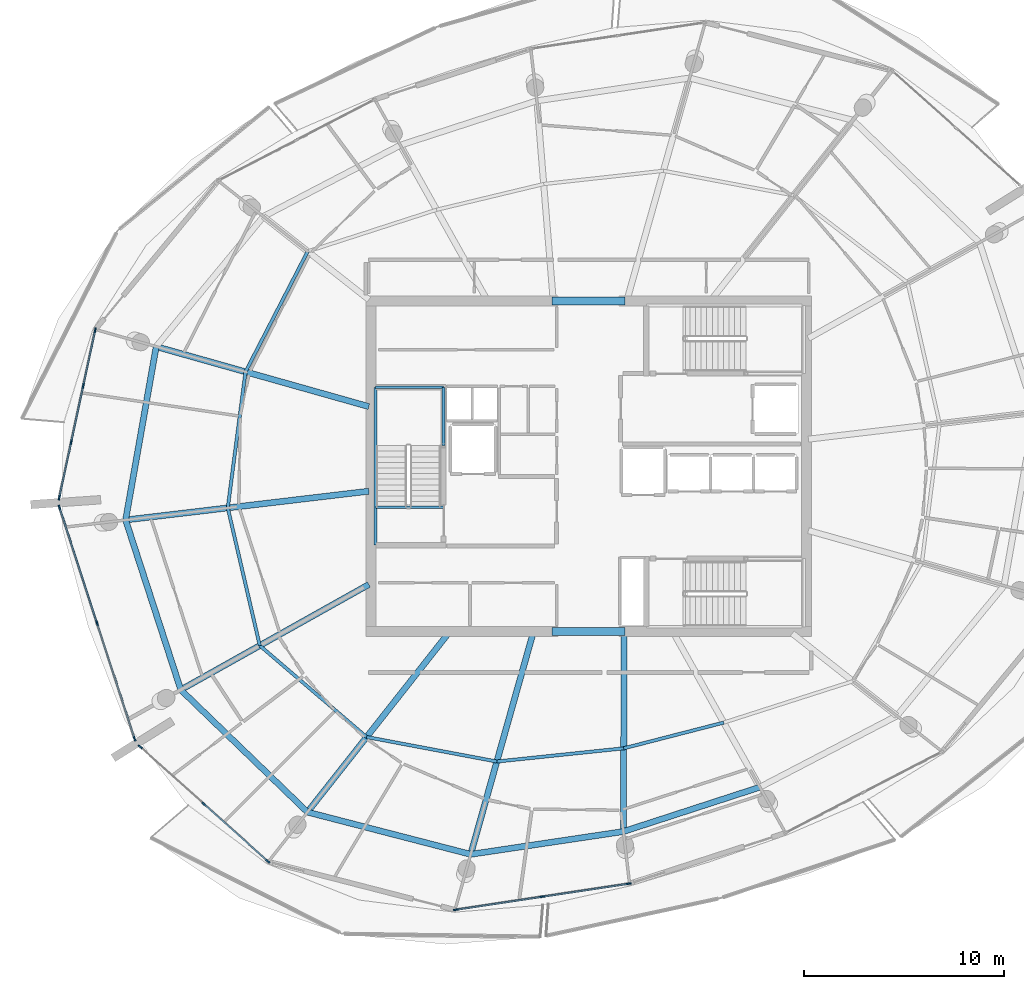
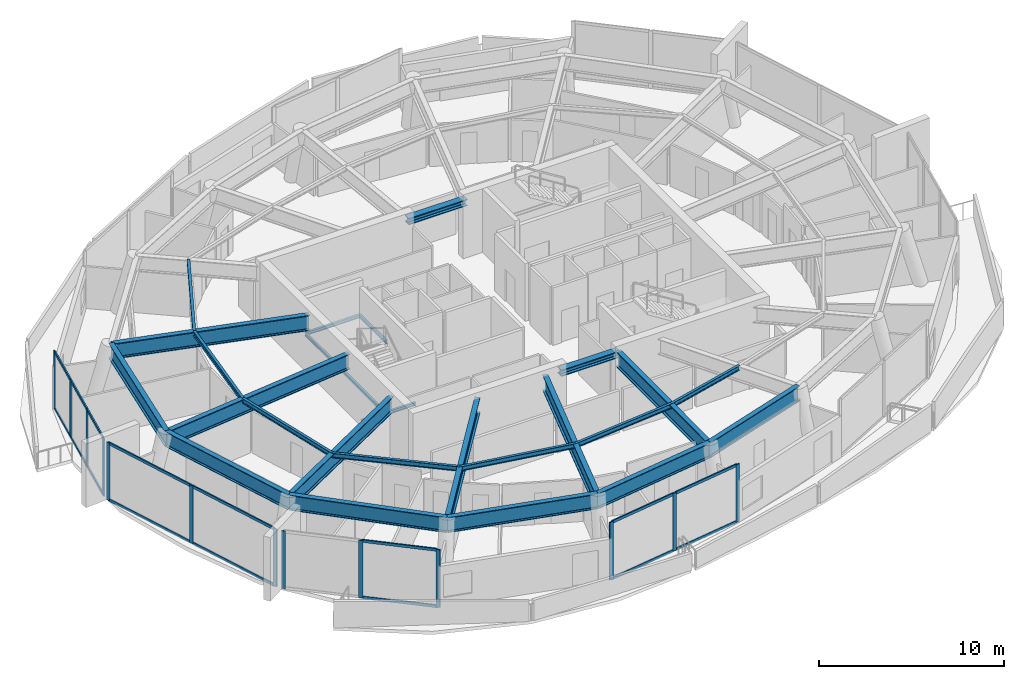
# One storey, part 5 of 19: 29 members, 25 beams, 4 elements without a shape of their own.
"""IFC4 building model written with IfcOpenShell, lengths in metres."""

from ifc_helpers import new_model, si_unit, direction, frame, origin, origin_2d, place, context, subcontext, project, spatial, rectangle, i_section, extrude, material, layer, layer_set, material_profile, profile_set, type_object, element, aggregate, save


model = new_model("IFC4")

# Units and contexts
model_context = context("Model", 3, precision=1e-05, world=origin(), true_north=direction((0.0, 1.0)))
body_context = subcontext(model_context, "Body", "Model", "MODEL_VIEW")
ifc_project = project(units=[si_unit("LENGTHUNIT", "METRE"), si_unit("AREAUNIT", "SQUARE_METRE"), si_unit("VOLUMEUNIT", "CUBIC_METRE"), si_unit("PLANEANGLEUNIT", "RADIAN"), si_unit("MASSUNIT", "GRAM", prefix="KILO")], contexts=[model_context])

# Site, building, storey
site_placement = place(None, origin())
site = spatial("IfcSite", under=ifc_project, at=site_placement, CompositionType="ELEMENT")
building_placement = place(site_placement, origin())
building = spatial("IfcBuilding", under=site, at=building_placement, Name="Kazma Halo Residences", CompositionType="ELEMENT")
storey_placement = place(building_placement, frame((0.0, 0.0, 347.300048828125)))
storey = spatial("IfcBuildingStorey", under=building, at=storey_placement, Name="L87", CompositionType="ELEMENT", Elevation=347.300048828125)

# Beams
ifc_material_1 = material(Name="Steel S355", Category="steel")
ifc_material_profile_1 = material_profile(ifc_material_1, i_section(OverallWidth=0.408935546875, OverallDepth=0.425048828125, WebThickness=0.03271484375, FlangeThickness=0.052490234375, FilletRadius=0.02001953125, at=origin_2d()), Name="W360x421")
ifc_profile_set_1 = profile_set([ifc_material_profile_1], Name="Steel S355")
beam_type_1 = type_object("IfcBeamType", Name="BM-CORE-W360H", PredefinedType="BEAM", material=ifc_profile_set_1)
for number, where, z_axis, x_axis, name in (
    (1, (46.60009765625, 33.75, 3.58740234375), (1.0, 0.0, 0.0), (0.0, 1.0, 0.0), "L87 core coupling beam S"),
    (2, (46.60009765625, 50.25, 3.58740234375), (1.0, 0.0, 0.0), (0.0, 1.0, 0.0), "L87 core coupling beam N"),
):
    element("IfcBeam", number, at=place(storey_placement, frame(where, z_axis=z_axis, x_axis=x_axis)), inside=storey, type_object=beam_type_1, Name=name, PredefinedType="BEAM", context=body_context, shape_type="SweptSolid", body=[
        extrude(i_section(OverallWidth=0.408935546875, OverallDepth=0.425048828125, WebThickness=0.03271484375, FlangeThickness=0.052490234375, FilletRadius=0.02001953125, at=origin_2d()), origin(), (0.0, 0.0, 1.0), 3.64990234375),
    ])
ifc_material_profile_2 = material_profile(ifc_material_1, i_section(OverallWidth=0.1650390625, OverallDepth=0.31005859375, WebThickness=0.005859375, FlangeThickness=0.009765625, FilletRadius=0.011962890625, at=origin_2d()), Name="W310x38.7")
ifc_profile_set_2 = profile_set([ifc_material_profile_2], Name="Steel S355")
beam_type_2 = type_object("IfcBeamType", Name="BM-SEC-W310B", PredefinedType="JOIST", material=ifc_profile_set_2)
beam_1_placement = place(storey_placement, frame((34.396240234375, 52.724365234375, 3.64501953125), z_axis=(-0.458980181698, -0.888446505316, 0.0), x_axis=(0.888446505316, -0.458980181698, 0.0)))
element("IfcBeam", 3, at=beam_1_placement, inside=storey, type_object=beam_type_2, Name="L87 circumferential floor joist 06", PredefinedType="JOIST", context=body_context, shape_type="SweptSolid", body=[
    extrude(i_section(OverallWidth=0.1650390625, OverallDepth=0.31005859375, WebThickness=0.005859375, FlangeThickness=0.009765625, FilletRadius=0.011962890625, at=origin_2d()), origin(), (0.0, 0.0, 1.0), 6.7666015625),
])
beam_2_placement = place(storey_placement, frame((31.29052734375, 46.712646484375, 3.64501953125), z_axis=(-0.129220381174, -0.991615899978, 0.0), x_axis=(0.991615899978, -0.129220381174, 0.0)))
element("IfcBeam", 4, at=beam_2_placement, inside=storey, type_object=beam_type_2, Name="L87 circumferential floor joist 07", PredefinedType="JOIST", context=body_context, shape_type="SweptSolid", body=[
    extrude(i_section(OverallWidth=0.1650390625, OverallDepth=0.31005859375, WebThickness=0.005859375, FlangeThickness=0.009765625, FilletRadius=0.011962890625, at=origin_2d()), origin(), (0.0, 0.0, 1.0), 6.8525390625),
])
beam_3_placement = place(storey_placement, frame((30.405029296875, 39.91748046875, 3.64501953125), z_axis=(0.22642269465, -0.97402913886, 0.0), x_axis=(0.97402913886, 0.22642269465, 0.0)))
element("IfcBeam", 5, at=beam_3_placement, inside=storey, type_object=beam_type_2, Name="L87 circumferential floor joist 08", PredefinedType="JOIST", context=body_context, shape_type="SweptSolid", body=[
    extrude(i_section(OverallWidth=0.1650390625, OverallDepth=0.31005859375, WebThickness=0.005859375, FlangeThickness=0.009765625, FilletRadius=0.011962890625, at=origin_2d()), origin(), (0.0, 0.0, 1.0), 7.059326171875),
])
beam_4_placement = place(storey_placement, frame((32.00341796875, 33.04150390625, 3.64501953125), z_axis=(0.759582919789, -0.650410476518, 0.0), x_axis=(0.650410476518, 0.759582919789, 0.0)))
element("IfcBeam", 6, at=beam_4_placement, inside=storey, type_object=beam_type_2, Name="L87 circumferential floor joist 09", PredefinedType="JOIST", context=body_context, shape_type="SweptSolid", body=[
    extrude(i_section(OverallWidth=0.1650390625, OverallDepth=0.31005859375, WebThickness=0.005859375, FlangeThickness=0.009765625, FilletRadius=0.011962890625, at=origin_2d()), origin(), (0.0, 0.0, 1.0), 7.02197265625),
])
beam_5_placement = place(storey_placement, frame((37.337158203125, 28.474365234375, 3.64501953125), z_axis=(0.982768028721, -0.184843181435, 0.0), x_axis=(0.184843181435, 0.982768028721, 0.0)))
element("IfcBeam", 7, at=beam_5_placement, inside=storey, type_object=beam_type_2, Name="L87 circumferential floor joist 10", PredefinedType="JOIST", context=body_context, shape_type="SweptSolid", body=[
    extrude(i_section(OverallWidth=0.1650390625, OverallDepth=0.31005859375, WebThickness=0.005859375, FlangeThickness=0.009765625, FilletRadius=0.011962890625, at=origin_2d()), origin(), (0.0, 0.0, 1.0), 6.6171875),
])
beam_6_placement = place(storey_placement, frame((43.84033203125, 27.251220703125, 3.64501953125), z_axis=(0.994612236518, 0.10366532192, 0.0), x_axis=(-0.10366532192, 0.994612236518, 0.0)))
element("IfcBeam", 8, at=beam_6_placement, inside=storey, type_object=beam_type_2, Name="L87 circumferential floor joist 11", PredefinedType="JOIST", context=body_context, shape_type="SweptSolid", body=[
    extrude(i_section(OverallWidth=0.1650390625, OverallDepth=0.31005859375, WebThickness=0.005859375, FlangeThickness=0.009765625, FilletRadius=0.011962890625, at=origin_2d()), origin(), (0.0, 0.0, 1.0), 6.37060546875),
])
beam_7_placement = place(storey_placement, frame((50.176513671875, 27.91162109375, 3.64501953125), z_axis=(0.96846845721, 0.249136202485, 0.0), x_axis=(-0.249136202485, 0.96846845721, 0.0)))
element("IfcBeam", 9, at=beam_7_placement, inside=storey, type_object=beam_type_2, Name="L87 circumferential floor joist 12", PredefinedType="JOIST", context=body_context, shape_type="SweptSolid", body=[
    extrude(i_section(OverallWidth=0.1650390625, OverallDepth=0.31005859375, WebThickness=0.005859375, FlangeThickness=0.009765625, FilletRadius=0.011962890625, at=origin_2d()), origin(), (0.0, 0.0, 1.0), 5.156494140625),
])
ifc_material_profile_3 = material_profile(ifc_material_1, i_section(OverallWidth=0.302001953125, OverallDepth=1.01806640625, WebThickness=0.021484375, FlangeThickness=0.049072265625, FilletRadius=0.028076171875, at=origin_2d()), Name="W1000x443")
ifc_profile_set_3 = profile_set([ifc_material_profile_3], Name="Steel S355")
beam_type_3 = type_object("IfcBeamType", Name="BM-TRANS-W1000A", PredefinedType="BEAM", material=ifc_profile_set_3)
beam_8_placement = place(storey_placement, frame((37.449951171875, 44.975341796875, 3.291015625), z_axis=(-0.962455160106, 0.271440720572, 0.0), x_axis=(-0.271440720572, -0.962455160106, 0.0)))
element("IfcBeam", 10, at=beam_8_placement, inside=storey, type_object=beam_type_3, Name="L87 podium radial transfer girder 07", PredefinedType="BEAM", context=body_context, shape_type="SweptSolid", body=[
    extrude(i_section(OverallWidth=0.302001953125, OverallDepth=1.01806640625, WebThickness=0.021484375, FlangeThickness=0.049072265625, FilletRadius=0.028076171875, at=origin_2d()), origin(), (0.0, 0.0, 1.0), 11.0341796875),
])
beam_9_placement = place(storey_placement, frame((37.449951171875, 40.751220703125, 3.291015625), z_axis=(-0.993069432883, -0.117529151591, 0.0), x_axis=(0.117529151591, -0.993069432883, 0.0)))
element("IfcBeam", 11, at=beam_9_placement, inside=storey, type_object=beam_type_3, Name="L87 podium radial transfer girder 08", PredefinedType="BEAM", context=body_context, shape_type="SweptSolid", body=[
    extrude(i_section(OverallWidth=0.302001953125, OverallDepth=1.01806640625, WebThickness=0.021484375, FlangeThickness=0.049072265625, FilletRadius=0.028076171875, at=origin_2d()), origin(), (0.0, 0.0, 1.0), 12.23095703125),
])
beam_10_placement = place(storey_placement, frame((37.449951171875, 36.091796875, 3.291015625), z_axis=(-0.872494798344, -0.488623399832, 0.0), x_axis=(0.488623399832, -0.872494798344, 0.0)))
element("IfcBeam", 12, at=beam_10_placement, inside=storey, type_object=beam_type_3, Name="L87 podium radial transfer girder 09", PredefinedType="BEAM", context=body_context, shape_type="SweptSolid", body=[
    extrude(i_section(OverallWidth=0.302001953125, OverallDepth=1.01806640625, WebThickness=0.021484375, FlangeThickness=0.049072265625, FilletRadius=0.028076171875, at=origin_2d()), origin(), (0.0, 0.0, 1.0), 10.762939453125),
])
beam_11_placement = place(storey_placement, frame((41.41748046875, 33.64990234375, 3.291015625), z_axis=(-0.619100773028, -0.785311551447, 0.0), x_axis=(0.785311551447, -0.619100773028, 0.0)))
element("IfcBeam", 13, at=beam_11_placement, inside=storey, type_object=beam_type_3, Name="L87 podium radial transfer girder 10", PredefinedType="BEAM", context=body_context, shape_type="SweptSolid", body=[
    extrude(i_section(OverallWidth=0.302001953125, OverallDepth=1.01806640625, WebThickness=0.021484375, FlangeThickness=0.049072265625, FilletRadius=0.028076171875, at=origin_2d()), origin(), (0.0, 0.0, 1.0), 11.363037109375),
])
beam_12_placement = place(storey_placement, frame((45.64501953125, 33.64990234375, 3.291015625), z_axis=(-0.271433859027, -0.962457095238, 0.0), x_axis=(0.962457095238, -0.271433859027, 0.0)))
element("IfcBeam", 14, at=beam_12_placement, inside=storey, type_object=beam_type_3, Name="L87 podium radial transfer girder 11", PredefinedType="BEAM", context=body_context, shape_type="SweptSolid", body=[
    extrude(i_section(OverallWidth=0.302001953125, OverallDepth=1.01806640625, WebThickness=0.021484375, FlangeThickness=0.049072265625, FilletRadius=0.028076171875, at=origin_2d()), origin(), (0.0, 0.0, 1.0), 11.462646484375),
])
beam_13_placement = place(storey_placement, frame((50.199951171875, 33.64990234375, 3.291015625), z_axis=(-0.004120979715, -0.999991508727, 0.0), x_axis=(0.999991508727, -0.004120979715, 0.0)))
element("IfcBeam", 15, at=beam_13_placement, inside=storey, type_object=beam_type_3, Name="L87 podium radial transfer girder 12", PredefinedType="BEAM", context=body_context, shape_type="SweptSolid", body=[
    extrude(i_section(OverallWidth=0.302001953125, OverallDepth=1.01806640625, WebThickness=0.021484375, FlangeThickness=0.049072265625, FilletRadius=0.028076171875, at=origin_2d()), origin(), (0.0, 0.0, 1.0), 9.8935546875),
])
ifc_material_profile_4 = material_profile(ifc_material_1, i_section(OverallWidth=0.300048828125, OverallDepth=1.0, WebThickness=0.01904296875, FlangeThickness=0.0400390625, FilletRadius=0.02587890625, at=origin_2d()), Name="W1000x371")
ifc_profile_set_4 = profile_set([ifc_material_profile_4], Name="Steel S355")
beam_type_4 = type_object("IfcBeamType", Name="BM-TRANS-W1000B", PredefinedType="BEAM", material=ifc_profile_set_4)
beam_14_placement = place(storey_placement, frame((26.830078125, 47.970458984375, 3.300048828125), z_axis=(-0.173642734291, -0.984808712811, 0.0), x_axis=(0.984808712811, -0.173642734291, 0.0)))
element("IfcBeam", 16, at=beam_14_placement, inside=storey, type_object=beam_type_4, Name="L87 perimeter ring beam 07", PredefinedType="BEAM", context=body_context, shape_type="SweptSolid", body=[
    extrude(i_section(OverallWidth=0.300048828125, OverallDepth=1.0, WebThickness=0.01904296875, FlangeThickness=0.0400390625, FilletRadius=0.02587890625, at=origin_2d()), origin(), (0.0, 0.0, 1.0), 8.790283203125),
])
beam_15_placement = place(storey_placement, frame((25.3037109375, 39.313720703125, 3.300048828125), z_axis=(0.309015498459, -0.951057002346, 0.0), x_axis=(0.951057002346, 0.309015498459, 0.0)))
element("IfcBeam", 17, at=beam_15_placement, inside=storey, type_object=beam_type_4, Name="L87 perimeter ring beam 08", PredefinedType="BEAM", context=body_context, shape_type="SweptSolid", body=[
    extrude(i_section(OverallWidth=0.300048828125, OverallDepth=1.0, WebThickness=0.01904296875, FlangeThickness=0.0400390625, FilletRadius=0.02587890625, at=origin_2d()), origin(), (0.0, 0.0, 1.0), 8.91748046875),
])
beam_16_placement = place(storey_placement, frame((28.059326171875, 30.832763671875, 3.300048828125), z_axis=(0.719330630477, -0.694667866003, 0.0), x_axis=(0.694667866003, 0.719330630477, 0.0)))
element("IfcBeam", 18, at=beam_16_placement, inside=storey, type_object=beam_type_4, Name="L87 perimeter ring beam 09", PredefinedType="BEAM", context=body_context, shape_type="SweptSolid", body=[
    extrude(i_section(OverallWidth=0.300048828125, OverallDepth=1.0, WebThickness=0.01904296875, FlangeThickness=0.0400390625, FilletRadius=0.02587890625, at=origin_2d()), origin(), (0.0, 0.0, 1.0), 8.79052734375),
])
beam_17_placement = place(storey_placement, frame((34.382568359375, 24.726318359375, 3.300048828125), z_axis=(0.968129821283, -0.250448895271, 0.0), x_axis=(0.250448895271, 0.968129821283, 0.0)))
element("IfcBeam", 19, at=beam_17_placement, inside=storey, type_object=beam_type_4, Name="L87 perimeter ring beam 10", PredefinedType="BEAM", context=body_context, shape_type="SweptSolid", body=[
    extrude(i_section(OverallWidth=0.300048828125, OverallDepth=1.0, WebThickness=0.01904296875, FlangeThickness=0.0400390625, FilletRadius=0.02587890625, at=origin_2d()), origin(), (0.0, 0.0, 1.0), 8.41943359375),
])
beam_18_placement = place(storey_placement, frame((42.53369140625, 22.61767578125, 3.300048828125), z_axis=(0.989034152337, 0.147686984904, 0.0), x_axis=(-0.147686984904, 0.989034152337, 0.0)))
element("IfcBeam", 20, at=beam_18_placement, inside=storey, type_object=beam_type_4, Name="L87 perimeter ring beam 11", PredefinedType="BEAM", context=body_context, shape_type="SweptSolid", body=[
    extrude(i_section(OverallWidth=0.300048828125, OverallDepth=1.0, WebThickness=0.01904296875, FlangeThickness=0.0400390625, FilletRadius=0.02587890625, at=origin_2d()), origin(), (0.0, 0.0, 1.0), 7.7099609375),
])
beam_19_placement = place(storey_placement, frame((50.1591796875, 23.75634765625, 3.300048828125), z_axis=(0.951067102, 0.308984413026, 0.0), x_axis=(-0.308984413026, 0.951067102, 0.0)))
element("IfcBeam", 21, at=beam_19_placement, inside=storey, type_object=beam_type_4, Name="L87 perimeter ring beam 12", PredefinedType="BEAM", context=body_context, shape_type="SweptSolid", body=[
    extrude(i_section(OverallWidth=0.300048828125, OverallDepth=1.0, WebThickness=0.01904296875, FlangeThickness=0.0400390625, FilletRadius=0.02587890625, at=origin_2d()), origin(), (0.0, 0.0, 1.0), 7.168212890625),
])
ifc_material_profile_5 = material_profile(ifc_material_1, i_section(OverallWidth=0.133056640625, OverallDepth=0.20703125, WebThickness=0.005859375, FlangeThickness=0.00830078125, FilletRadius=0.010009765625, at=origin_2d()), Name="W200x26.6")
ifc_profile_set_5 = profile_set([ifc_material_profile_5], Name="Steel S355")
beam_type_5 = type_object("IfcBeamType", Name="BM-TRIM-W200", PredefinedType="BEAM", material=ifc_profile_set_5)
beam_20_placement = place(storey_placement, frame((37.800048828125, 39.949951171875, -0.3701171875), z_axis=(1.0, 0.0, 0.0), x_axis=(0.0, 1.0, 0.0)))
element("IfcBeam", 22, at=beam_20_placement, inside=storey, type_object=beam_type_5, Name="L87 ST-01 floor landing support beam", PredefinedType="BEAM", context=body_context, shape_type="SweptSolid", body=[
    extrude(i_section(OverallWidth=0.133056640625, OverallDepth=0.20703125, WebThickness=0.005859375, FlangeThickness=0.00830078125, FilletRadius=0.010009765625, at=origin_2d()), origin(), (0.0, 0.0, 1.0), 3.3798828125),
])
beam_21_placement = place(storey_placement, frame((37.780029296875, 38.06005859375, 1.794921875), z_axis=(0.0, 1.0, 0.0), x_axis=(-1.0, 0.0, 0.0)))
element("IfcBeam", 23, at=beam_21_placement, inside=storey, type_object=beam_type_5, Name="L87 ST-01 landing west wall ledger", PredefinedType="BEAM", context=body_context, shape_type="SweptSolid", body=[
    extrude(i_section(OverallWidth=0.133056640625, OverallDepth=0.20703125, WebThickness=0.005859375, FlangeThickness=0.00830078125, FilletRadius=0.010009765625, at=origin_2d()), origin(), (0.0, 0.0, 1.0), 7.8798828125),
])
beam_22_placement = place(storey_placement, frame((41.179931640625, 43.030029296875, 1.794921875), z_axis=(0.0, 1.0, 0.0), x_axis=(-1.0, 0.0, 0.0)))
element("IfcBeam", 24, at=beam_22_placement, inside=storey, type_object=beam_type_5, Name="L87 ST-01 landing east wall ledger", PredefinedType="BEAM", context=body_context, shape_type="SweptSolid", body=[
    extrude(i_section(OverallWidth=0.133056640625, OverallDepth=0.20703125, WebThickness=0.005859375, FlangeThickness=0.00830078125, FilletRadius=0.010009765625, at=origin_2d()), origin(), (0.0, 0.0, 1.0), 2.909912109375),
])
beam_23_placement = place(storey_placement, frame((37.780029296875, 45.93994140625, 1.794921875), z_axis=(1.0, 0.0, 0.0), x_axis=(0.0, 1.0, 0.0)))
element("IfcBeam", 25, at=beam_23_placement, inside=storey, type_object=beam_type_5, Name="L87 ST-01 landing end wall ledger", PredefinedType="BEAM", context=body_context, shape_type="SweptSolid", body=[
    extrude(i_section(OverallWidth=0.133056640625, OverallDepth=0.20703125, WebThickness=0.005859375, FlangeThickness=0.00830078125, FilletRadius=0.010009765625, at=origin_2d()), origin(), (0.0, 0.0, 1.0), 3.39990234375),
])

# Curtain wall, members
ifc_material_2 = material(Name="Aluminium AW-6063 T6 and Triple-Silver Low-E Glass", Category="aluminium")
ifc_layer = layer(ifc_material_2, 0.239990234375)
ifc_layer_set = layer_set([ifc_layer], Name="Aluminium AW-6063 T6 and Triple-Silver Low-E Glass")
curtain_wall_type = type_object("IfcCurtainWallType", Name="CW-SYS-6", PredefinedType="NOTDEFINED", material=ifc_layer_set)
curtain_wall_1_placement = place(storey_placement, origin())
curtain_wall_1 = element("IfcCurtainWall", 26, at=curtain_wall_1_placement, inside=storey, type_object=curtain_wall_type, Name="L87 unitised curtain wall B07", PredefinedType="NOTDEFINED")
ifc_material_3 = material(Name="Aluminium AW-6063 T6", Category="aluminium")
ifc_material_profile_6 = material_profile(ifc_material_3, rectangle(XDim=0.080078125, YDim=0.239990234375, at=origin_2d()), Name="CWM-80x240")
ifc_profile_set_6 = profile_set([ifc_material_profile_6], Name="Aluminium AW-6063 T6")
member_type_1 = type_object("IfcMemberType", Name="CW-SYS-6-MUL", PredefinedType="MULLION", material=ifc_profile_set_6)
member_1_placement = place(storey_placement, frame((23.7841796875, 48.7880859375, 0.0), z_axis=(0.0, 0.0, 1.0), x_axis=(0.977760865363, -0.209722888986, 0.0)))
member_1 = element("IfcMember", 27, at=member_1_placement, type_object=member_type_1, Name="CWS-6 mullion 1", PredefinedType="MULLION", context=body_context, shape_type="SweptSolid", body=[
    extrude(rectangle(XDim=0.080078125, YDim=0.239990234375, at=origin_2d()), origin(), (0.0, 0.0, 1.0), 3.800048828125),
])
member_2_placement = place(storey_placement, frame((23.18896484375, 46.013427734375, 0.0), z_axis=(0.0, 0.0, 1.0), x_axis=(0.977760865363, -0.209722888986, 0.0)))
member_2 = element("IfcMember", 28, at=member_2_placement, type_object=member_type_1, Name="CWS-6 mullion 2", PredefinedType="MULLION", context=body_context, shape_type="SweptSolid", body=[
    extrude(rectangle(XDim=0.080078125, YDim=0.239990234375, at=origin_2d()), origin(), (0.0, 0.0, 1.0), 3.800048828125),
])
member_3_placement = place(storey_placement, frame((22.58544921875, 43.19970703125, 0.0), z_axis=(0.0, 0.0, 1.0), x_axis=(0.977760865363, -0.209722888986, 0.0)))
member_3 = element("IfcMember", 29, at=member_3_placement, type_object=member_type_1, Name="CWS-6 mullion 3", PredefinedType="MULLION", context=body_context, shape_type="SweptSolid", body=[
    extrude(rectangle(XDim=0.080078125, YDim=0.239990234375, at=origin_2d()), origin(), (0.0, 0.0, 1.0), 3.800048828125),
])
member_4_placement = place(storey_placement, frame((21.990234375, 40.425048828125, 0.0), z_axis=(0.0, 0.0, 1.0), x_axis=(0.977760865363, -0.209722888986, 0.0)))
member_4 = element("IfcMember", 30, at=member_4_placement, type_object=member_type_1, Name="CWS-6 mullion 4", PredefinedType="MULLION", context=body_context, shape_type="SweptSolid", body=[
    extrude(rectangle(XDim=0.080078125, YDim=0.239990234375, at=origin_2d()), origin(), (0.0, 0.0, 1.0), 3.800048828125),
])

curtain_wall_2_placement = place(storey_placement, origin())
curtain_wall_2 = element("IfcCurtainWall", 31, at=curtain_wall_2_placement, inside=storey, type_object=curtain_wall_type, Name="L87 unitised curtain wall B08", PredefinedType="NOTDEFINED")
member_5_placement = place(storey_placement, frame((22.0009765625, 39.937744140625, 0.0), z_axis=(0.0, 0.0, 1.0), x_axis=(0.951055886462, 0.309018932797, 0.0)))
member_5 = element("IfcMember", 32, at=member_5_placement, type_object=member_type_1, Name="CWS-6 mullion 1", PredefinedType="MULLION", context=body_context, shape_type="SweptSolid", body=[
    extrude(rectangle(XDim=0.080078125, YDim=0.239990234375, at=origin_2d()), origin(), (0.0, 0.0, 1.0), 3.800048828125),
])
member_6_placement = place(storey_placement, frame((23.87744140625, 34.162109375, 0.0), z_axis=(0.0, 0.0, 1.0), x_axis=(0.951055886462, 0.309018932797, 0.0)))
member_6 = element("IfcMember", 33, at=member_6_placement, type_object=member_type_1, Name="CWS-6 mullion 2", PredefinedType="MULLION", context=body_context, shape_type="SweptSolid", body=[
    extrude(rectangle(XDim=0.080078125, YDim=0.239990234375, at=origin_2d()), origin(), (0.0, 0.0, 1.0), 3.800048828125),
])
member_7_placement = place(storey_placement, frame((25.754150390625, 28.38671875, 0.0), z_axis=(0.0, 0.0, 1.0), x_axis=(0.951055886462, 0.309018932797, 0.0)))
member_7 = element("IfcMember", 34, at=member_7_placement, type_object=member_type_1, Name="CWS-6 mullion 3", PredefinedType="MULLION", context=body_context, shape_type="SweptSolid", body=[
    extrude(rectangle(XDim=0.080078125, YDim=0.239990234375, at=origin_2d()), origin(), (0.0, 0.0, 1.0), 3.800048828125),
])

curtain_wall_3_placement = place(storey_placement, origin())
curtain_wall_3 = element("IfcCurtainWall", 35, at=curtain_wall_3_placement, inside=storey, type_object=curtain_wall_type, Name="L87 unitised curtain wall B09", PredefinedType="NOTDEFINED")
member_8_placement = place(storey_placement, frame((26.031982421875, 27.986083984375, 0.0), z_axis=(0.0, 0.0, 1.0), x_axis=(0.667757559118, 0.744378829791, 0.0)))
member_8 = element("IfcMember", 36, at=member_8_placement, type_object=member_type_1, Name="CWS-6 mullion 1", PredefinedType="MULLION", context=body_context, shape_type="SweptSolid", body=[
    extrude(rectangle(XDim=0.080078125, YDim=0.239990234375, at=origin_2d()), origin(), (0.0, 0.0, 1.0), 3.800048828125),
])
member_9_placement = place(storey_placement, frame((29.21533203125, 25.13037109375, 0.0), z_axis=(0.0, 0.0, 1.0), x_axis=(0.667757559118, 0.744378829791, 0.0)))
member_9 = element("IfcMember", 37, at=member_9_placement, type_object=member_type_1, Name="CWS-6 mullion 2", PredefinedType="MULLION", context=body_context, shape_type="SweptSolid", body=[
    extrude(rectangle(XDim=0.080078125, YDim=0.239990234375, at=origin_2d()), origin(), (0.0, 0.0, 1.0), 3.800048828125),
])
member_10_placement = place(storey_placement, frame((32.39892578125, 22.2744140625, 0.0), z_axis=(0.0, 0.0, 1.0), x_axis=(0.667757559118, 0.744378829791, 0.0)))
member_10 = element("IfcMember", 38, at=member_10_placement, type_object=member_type_1, Name="CWS-6 mullion 3", PredefinedType="MULLION", context=body_context, shape_type="SweptSolid", body=[
    extrude(rectangle(XDim=0.080078125, YDim=0.239990234375, at=origin_2d()), origin(), (0.0, 0.0, 1.0), 3.800048828125),
])

curtain_wall_4_placement = place(storey_placement, origin())
curtain_wall_4 = element("IfcCurtainWall", 39, at=curtain_wall_4_placement, inside=storey, type_object=curtain_wall_type, Name="L87 unitised curtain wall B11", PredefinedType="NOTDEFINED")
member_11_placement = place(storey_placement, frame((41.79150390625, 19.85205078125, 0.0), z_axis=(0.0, 0.0, 1.0), x_axis=(-0.148870876743, 0.988856643836, 0.0)))
member_11 = element("IfcMember", 40, at=member_11_placement, type_object=member_type_1, Name="CWS-6 mullion 1", PredefinedType="MULLION", context=body_context, shape_type="SweptSolid", body=[
    extrude(rectangle(XDim=0.080078125, YDim=0.239990234375, at=origin_2d()), origin(), (0.0, 0.0, 1.0), 3.800048828125),
])
member_12_placement = place(storey_placement, frame((46.109375, 20.502197265625, 0.0), z_axis=(0.0, 0.0, 1.0), x_axis=(-0.148870876743, 0.988856643836, 0.0)))
member_12 = element("IfcMember", 41, at=member_12_placement, type_object=member_type_1, Name="CWS-6 mullion 2", PredefinedType="MULLION", context=body_context, shape_type="SweptSolid", body=[
    extrude(rectangle(XDim=0.080078125, YDim=0.239990234375, at=origin_2d()), origin(), (0.0, 0.0, 1.0), 3.800048828125),
])
member_13_placement = place(storey_placement, frame((50.42724609375, 21.15234375, 0.0), z_axis=(0.0, 0.0, 1.0), x_axis=(-0.148870876743, 0.988856643836, 0.0)))
member_13 = element("IfcMember", 42, at=member_13_placement, type_object=member_type_1, Name="CWS-6 mullion 3", PredefinedType="MULLION", context=body_context, shape_type="SweptSolid", body=[
    extrude(rectangle(XDim=0.080078125, YDim=0.239990234375, at=origin_2d()), origin(), (0.0, 0.0, 1.0), 3.800048828125),
])

# Member
ifc_material_profile_7 = material_profile(ifc_material_3, rectangle(XDim=0.080078125, YDim=0.179931640625, at=origin_2d()), Name="CWT-80x180")
ifc_profile_set_7 = profile_set([ifc_material_profile_7], Name="Aluminium AW-6063 T6")
member_type_2 = type_object("IfcMemberType", Name="CW-SYS-6-TRN", PredefinedType="USERDEFINED", material=ifc_profile_set_7)
member_14_placement = place(storey_placement, frame((23.775634765625, 48.7490234375, 0.0400390625), z_axis=(-0.209716499477, -0.977762235846, 0.0), x_axis=(0.977762235846, -0.209716499477, 0.0)))
member_14 = element("IfcMember", 43, at=member_14_placement, type_object=member_type_2, Name="CWS-6 transom 1.1", ObjectType="TRANSOM", PredefinedType="USERDEFINED", context=body_context, shape_type="SweptSolid", body=[
    extrude(rectangle(XDim=0.080078125, YDim=0.179931640625, at=origin_2d()), origin(), (0.0, 0.0, 1.0), 2.7578125),
])

member_15_placement = place(storey_placement, frame((23.775634765625, 48.7490234375, 3.760009765625), z_axis=(-0.209716499477, -0.977762235846, 0.0), x_axis=(0.977762235846, -0.209716499477, 0.0)))
member_15 = element("IfcMember", 44, at=member_15_placement, type_object=member_type_2, Name="CWS-6 transom 1.2", ObjectType="TRANSOM", PredefinedType="USERDEFINED", context=body_context, shape_type="SweptSolid", body=[
    extrude(rectangle(XDim=0.080078125, YDim=0.179931640625, at=origin_2d()), origin(), (0.0, 0.0, 1.0), 2.7578125),
])

member_16_placement = place(storey_placement, frame((23.1806640625, 45.974365234375, 0.0400390625), z_axis=(-0.209773410621, -0.977750027459, 0.0), x_axis=(0.977750027459, -0.209773410621, 0.0)))
member_16 = element("IfcMember", 45, at=member_16_placement, type_object=member_type_2, Name="CWS-6 transom 2.1", ObjectType="TRANSOM", PredefinedType="USERDEFINED", context=body_context, shape_type="SweptSolid", body=[
    extrude(rectangle(XDim=0.080078125, YDim=0.179931640625, at=origin_2d()), origin(), (0.0, 0.0, 1.0), 2.7978515625),
])

member_17_placement = place(storey_placement, frame((23.1806640625, 45.974365234375, 3.760009765625), z_axis=(-0.209773410621, -0.977750027459, 0.0), x_axis=(0.977750027459, -0.209773410621, 0.0)))
member_17 = element("IfcMember", 46, at=member_17_placement, type_object=member_type_2, Name="CWS-6 transom 2.2", ObjectType="TRANSOM", PredefinedType="USERDEFINED", context=body_context, shape_type="SweptSolid", body=[
    extrude(rectangle(XDim=0.080078125, YDim=0.179931640625, at=origin_2d()), origin(), (0.0, 0.0, 1.0), 2.7978515625),
])

member_18_placement = place(storey_placement, frame((22.5771484375, 43.16064453125, 0.0400390625), z_axis=(-0.209716499477, -0.977762235846, 0.0), x_axis=(0.977762235846, -0.209716499477, 0.0)))
member_18 = element("IfcMember", 47, at=member_18_placement, type_object=member_type_2, Name="CWS-6 transom 3.1", ObjectType="TRANSOM", PredefinedType="USERDEFINED", context=body_context, shape_type="SweptSolid", body=[
    extrude(rectangle(XDim=0.080078125, YDim=0.179931640625, at=origin_2d()), origin(), (0.0, 0.0, 1.0), 2.7578125),
])

member_19_placement = place(storey_placement, frame((22.5771484375, 43.16064453125, 3.760009765625), z_axis=(-0.209716499477, -0.977762235846, 0.0), x_axis=(0.977762235846, -0.209716499477, 0.0)))
member_19 = element("IfcMember", 48, at=member_19_placement, type_object=member_type_2, Name="CWS-6 transom 3.2", ObjectType="TRANSOM", PredefinedType="USERDEFINED", context=body_context, shape_type="SweptSolid", body=[
    extrude(rectangle(XDim=0.080078125, YDim=0.179931640625, at=origin_2d()), origin(), (0.0, 0.0, 1.0), 2.7578125),
])

aggregate(curtain_wall_1, [member_1, member_2, member_3, member_4, member_14, member_15, member_16, member_17, member_18, member_19])

member_20_placement = place(storey_placement, frame((22.013427734375, 39.899658203125, 0.0400390625), z_axis=(0.309007770724, -0.951059513191, 0.0), x_axis=(0.951059513191, 0.309007770724, 0.0)))
member_20 = element("IfcMember", 49, at=member_20_placement, type_object=member_type_2, Name="CWS-6 transom 1.1", ObjectType="TRANSOM", PredefinedType="USERDEFINED", context=body_context, shape_type="SweptSolid", body=[
    extrude(rectangle(XDim=0.080078125, YDim=0.179931640625, at=origin_2d()), origin(), (0.0, 0.0, 1.0), 5.99267578125),
])

member_21_placement = place(storey_placement, frame((22.013427734375, 39.899658203125, 3.760009765625), z_axis=(0.309007770724, -0.951059513191, 0.0), x_axis=(0.951059513191, 0.309007770724, 0.0)))
member_21 = element("IfcMember", 50, at=member_21_placement, type_object=member_type_2, Name="CWS-6 transom 1.2", ObjectType="TRANSOM", PredefinedType="USERDEFINED", context=body_context, shape_type="SweptSolid", body=[
    extrude(rectangle(XDim=0.080078125, YDim=0.179931640625, at=origin_2d()), origin(), (0.0, 0.0, 1.0), 5.99267578125),
])

member_22_placement = place(storey_placement, frame((23.889892578125, 34.1240234375, 0.0400390625), z_axis=(0.309019743831, -0.951055622938, 0.0), x_axis=(0.951055622938, 0.309019743831, 0.0)))
member_22 = element("IfcMember", 51, at=member_22_placement, type_object=member_type_2, Name="CWS-6 transom 2.1", ObjectType="TRANSOM", PredefinedType="USERDEFINED", context=body_context, shape_type="SweptSolid", body=[
    extrude(rectangle(XDim=0.080078125, YDim=0.179931640625, at=origin_2d()), origin(), (0.0, 0.0, 1.0), 5.992431640625),
])

member_23_placement = place(storey_placement, frame((23.889892578125, 34.1240234375, 3.760009765625), z_axis=(0.309019743831, -0.951055622938, 0.0), x_axis=(0.951055622938, 0.309019743831, 0.0)))
member_23 = element("IfcMember", 52, at=member_23_placement, type_object=member_type_2, Name="CWS-6 transom 2.2", ObjectType="TRANSOM", PredefinedType="USERDEFINED", context=body_context, shape_type="SweptSolid", body=[
    extrude(rectangle(XDim=0.080078125, YDim=0.179931640625, at=origin_2d()), origin(), (0.0, 0.0, 1.0), 5.992431640625),
])

aggregate(curtain_wall_2, [member_5, member_6, member_7, member_20, member_21, member_22, member_23])

member_24_placement = place(storey_placement, frame((29.2451171875, 25.103515625, 0.0400390625), z_axis=(0.744403905463, -0.667729605103, 0.0), x_axis=(0.667729605103, 0.744403905463, 0.0)))
member_24 = element("IfcMember", 53, at=member_24_placement, type_object=member_type_2, Name="CWS-6 transom 2.1", ObjectType="TRANSOM", PredefinedType="USERDEFINED", context=body_context, shape_type="SweptSolid", body=[
    extrude(rectangle(XDim=0.080078125, YDim=0.179931640625, at=origin_2d()), origin(), (0.0, 0.0, 1.0), 4.19677734375),
])

member_25_placement = place(storey_placement, frame((29.2451171875, 25.103515625, 3.760009765625), z_axis=(0.744403905463, -0.667729605103, 0.0), x_axis=(0.667729605103, 0.744403905463, 0.0)))
member_25 = element("IfcMember", 54, at=member_25_placement, type_object=member_type_2, Name="CWS-6 transom 2.2", ObjectType="TRANSOM", PredefinedType="USERDEFINED", context=body_context, shape_type="SweptSolid", body=[
    extrude(rectangle(XDim=0.080078125, YDim=0.179931640625, at=origin_2d()), origin(), (0.0, 0.0, 1.0), 4.19677734375),
])

aggregate(curtain_wall_3, [member_8, member_9, member_10, member_24, member_25])

member_26_placement = place(storey_placement, frame((41.8310546875, 19.858154296875, 0.0400390625), z_axis=(0.988855159078, 0.14888073873, 0.0), x_axis=(-0.14888073873, 0.988855159078, 0.0)))
member_26 = element("IfcMember", 55, at=member_26_placement, type_object=member_type_2, Name="CWS-6 transom 1.1", ObjectType="TRANSOM", PredefinedType="USERDEFINED", context=body_context, shape_type="SweptSolid", body=[
    extrude(rectangle(XDim=0.080078125, YDim=0.179931640625, at=origin_2d()), origin(), (0.0, 0.0, 1.0), 4.28662109375),
])

member_27_placement = place(storey_placement, frame((41.8310546875, 19.858154296875, 3.760009765625), z_axis=(0.988855159078, 0.14888073873, 0.0), x_axis=(-0.14888073873, 0.988855159078, 0.0)))
member_27 = element("IfcMember", 56, at=member_27_placement, type_object=member_type_2, Name="CWS-6 transom 1.2", ObjectType="TRANSOM", PredefinedType="USERDEFINED", context=body_context, shape_type="SweptSolid", body=[
    extrude(rectangle(XDim=0.080078125, YDim=0.179931640625, at=origin_2d()), origin(), (0.0, 0.0, 1.0), 4.28662109375),
])

member_28_placement = place(storey_placement, frame((46.14892578125, 20.508056640625, 0.0400390625), z_axis=(0.988855159078, 0.14888073873, 0.0), x_axis=(-0.14888073873, 0.988855159078, 0.0)))
member_28 = element("IfcMember", 57, at=member_28_placement, type_object=member_type_2, Name="CWS-6 transom 2.1", ObjectType="TRANSOM", PredefinedType="USERDEFINED", context=body_context, shape_type="SweptSolid", body=[
    extrude(rectangle(XDim=0.080078125, YDim=0.179931640625, at=origin_2d()), origin(), (0.0, 0.0, 1.0), 4.28662109375),
])

member_29_placement = place(storey_placement, frame((46.14892578125, 20.508056640625, 3.760009765625), z_axis=(0.988855159078, 0.14888073873, 0.0), x_axis=(-0.14888073873, 0.988855159078, 0.0)))
member_29 = element("IfcMember", 58, at=member_29_placement, type_object=member_type_2, Name="CWS-6 transom 2.2", ObjectType="TRANSOM", PredefinedType="USERDEFINED", context=body_context, shape_type="SweptSolid", body=[
    extrude(rectangle(XDim=0.080078125, YDim=0.179931640625, at=origin_2d()), origin(), (0.0, 0.0, 1.0), 4.28662109375),
])

aggregate(curtain_wall_4, [member_11, member_12, member_13, member_26, member_27, member_28, member_29])

save(model, "model.ifc")
